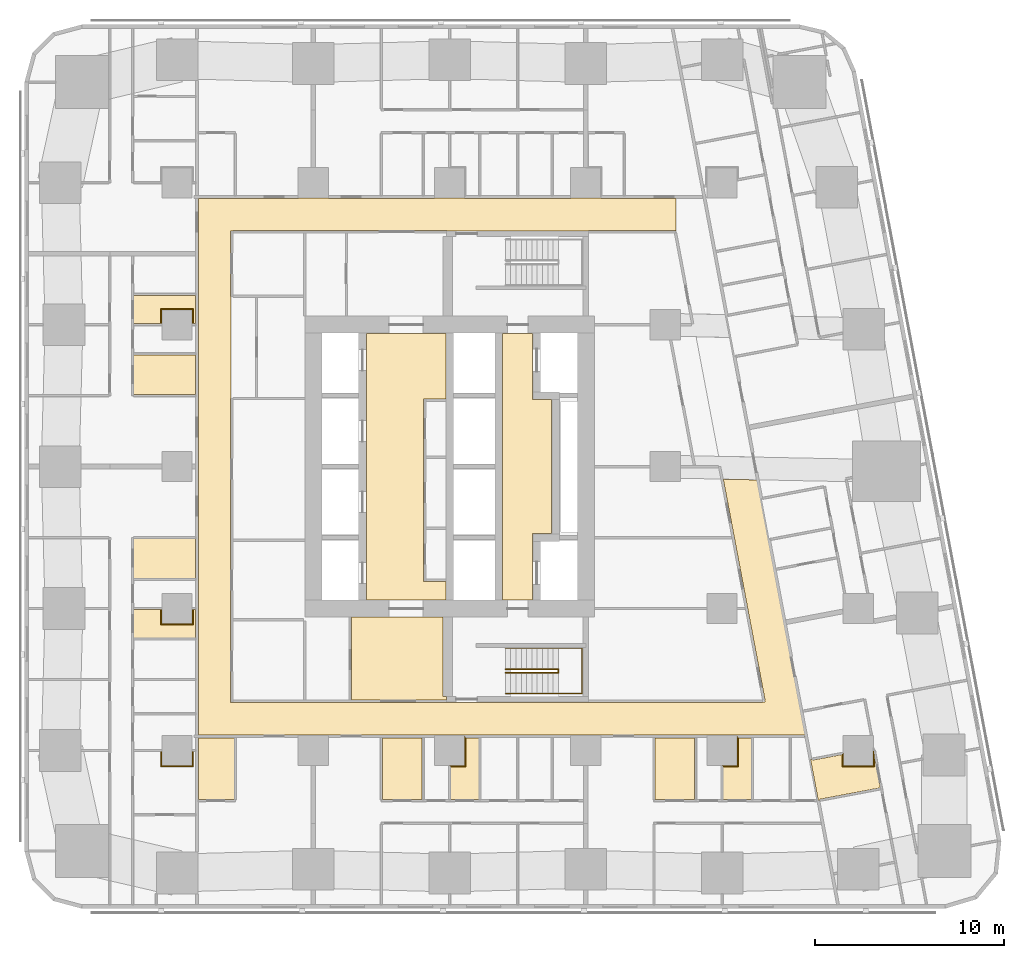
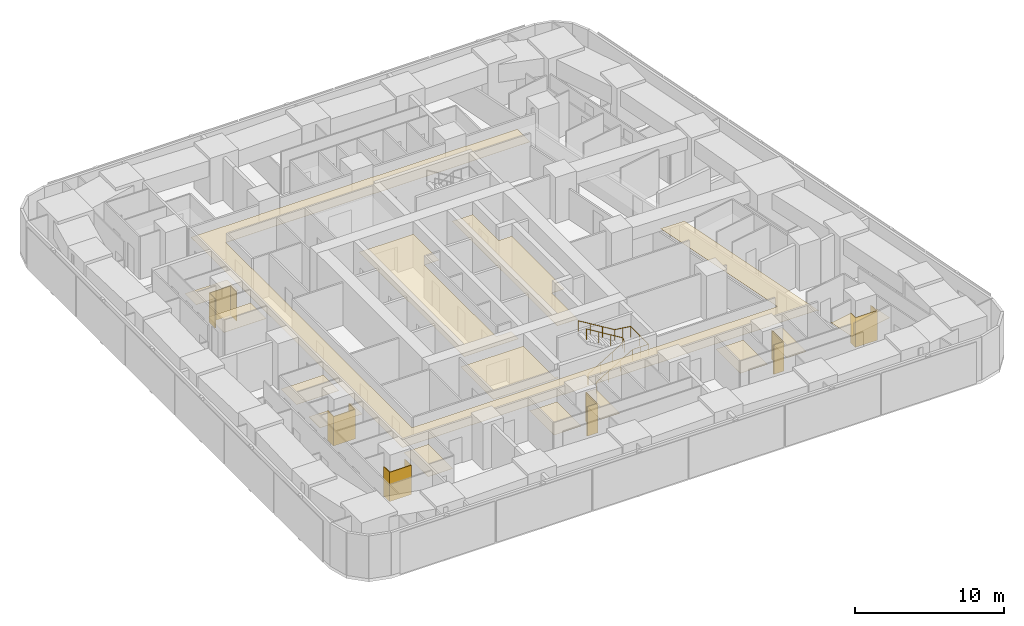
# One storey, part 13 of 15: 20 coverings, 2 railings.
"""IFC4 building model written with IfcOpenShell, lengths in metres."""

from ifc_helpers import new_model, si_unit, direction, frame, origin, origin_2d, place, context, subcontext, project, spatial, polyline, circle, outline, extrude, material, layer, layer_set, type_object, element, save


model = new_model("IFC4")

# Units and contexts
model_context = context("Model", 3, precision=1e-05, world=origin(), true_north=direction((0.0, 1.0)))
body_context = subcontext(model_context, "Body", "Model", "MODEL_VIEW")
ifc_project = project(units=[si_unit("LENGTHUNIT", "METRE"), si_unit("AREAUNIT", "SQUARE_METRE"), si_unit("VOLUMEUNIT", "CUBIC_METRE"), si_unit("PLANEANGLEUNIT", "RADIAN"), si_unit("MASSUNIT", "GRAM", prefix="KILO")], contexts=[model_context])

# Site, building, storey
site_placement = place(None, origin())
site = spatial("IfcSite", under=ifc_project, at=site_placement, CompositionType="ELEMENT")
building_placement = place(site_placement, origin())
building = spatial("IfcBuilding", under=site, at=building_placement, Name="Sheger Commons Tower", CompositionType="ELEMENT")
storey_placement = place(building_placement, frame((0.0, 0.0, 81.64990234375)))
storey = spatial("IfcBuildingStorey", under=building, at=storey_placement, Name="L20", CompositionType="ELEMENT", Elevation=81.64990234375)

# Railings
ifc_material_1 = material(Name="Steel handrail, black powder-coated", Category="steel")
railing_type = type_object("IfcRailingType", Name="HANDRAIL 900", PredefinedType="HANDRAIL", material=ifc_material_1)
railing_1_placement = place(storey_placement, frame((24.550048828125, 11.60009765625, 0.170654296875)))
element("IfcRailing", 1, at=railing_1_placement, inside=storey, type_object=railing_type, Name="Stair S1 handrail L20", PredefinedType="HANDRAIL", context=body_context, shape_type="SweptSolid", body=[
    extrude(circle(Radius=0.02392578125, at=origin_2d()), frame((0.0, 0.0, 0.8759765625), z_axis=(0.854202870247, 0.0, 0.519939858505), x_axis=(0.0, 1.0, 0.0)), (0.0, 0.0, 1.0), 3.278076171875),
    extrude(circle(Radius=0.02392578125, at=origin_2d()), frame((2.800048828125, 0.0, 2.580078125), z_axis=(0.0, 0.760631612298, 0.649183757016), x_axis=(-1.0, 0.0, 0.0)), (0.0, 0.0, 1.0), 0.262939453125),
    extrude(circle(Radius=0.02392578125, at=origin_2d()), frame((2.800048828125, 0.199951171875, 2.7509765625), z_axis=(-0.854202870247, 0.0, 0.519939858505), x_axis=(0.0, -1.0, 0.0)), (0.0, 0.0, 1.0), 3.278076171875),
    extrude(circle(Radius=0.02099609375, at=origin_2d()), origin(), (0.0, 0.0, 1.0), 0.851806640625),
    extrude(circle(Radius=0.02099609375, at=origin_2d()), frame((0.933349609375, 0.0, 0.568115234375)), (0.0, 0.0, 1.0), 0.851806640625),
    extrude(circle(Radius=0.02099609375, at=origin_2d()), frame((1.86669921875, 0.0, 1.13623046875)), (0.0, 0.0, 1.0), 0.851806640625),
    extrude(circle(Radius=0.02099609375, at=origin_2d()), frame((2.800048828125, 0.0, 1.704345703125)), (0.0, 0.0, 1.0), 0.851806640625),
    extrude(circle(Radius=0.02099609375, at=origin_2d()), frame((2.800048828125, 0.199951171875, 1.875)), (0.0, 0.0, 1.0), 0.851806640625),
    extrude(circle(Radius=0.02099609375, at=origin_2d()), frame((1.86669921875, 0.199951171875, 2.443115234375)), (0.0, 0.0, 1.0), 0.851806640625),
    extrude(circle(Radius=0.02099609375, at=origin_2d()), frame((0.933349609375, 0.199951171875, 3.01123046875)), (0.0, 0.0, 1.0), 0.851806640625),
    extrude(circle(Radius=0.02099609375, at=origin_2d()), frame((0.0, 0.199951171875, 3.579345703125)), (0.0, 0.0, 1.0), 0.851806640625),
])
railing_2_placement = place(storey_placement, frame((24.550048828125, 10.5, 0.170654296875)))
element("IfcRailing", 2, at=railing_2_placement, inside=storey, type_object=railing_type, Name="Stair S1 handrail L20", PredefinedType="HANDRAIL", context=body_context, shape_type="SweptSolid", body=[
    extrude(circle(Radius=0.02392578125, at=origin_2d()), frame((0.0, 0.0, 0.8759765625), z_axis=(0.854202870247, 0.0, 0.519939858505), x_axis=(0.0, 1.0, 0.0)), (0.0, 0.0, 1.0), 3.278076171875),
    extrude(circle(Radius=0.02392578125, at=origin_2d()), frame((2.800048828125, 0.0, 2.580078125), z_axis=(1.0, 0.0, 0.0), x_axis=(0.0, 1.0, 0.0)), (0.0, 0.0, 1.0), 1.25),
    extrude(circle(Radius=0.02392578125, at=origin_2d()), frame((4.050048828125, 0.0, 2.580078125), z_axis=(0.0, 1.0, 0.0), x_axis=(-1.0, 0.0, 0.0)), (0.0, 0.0, 1.0), 2.39990234375),
    extrude(circle(Radius=0.02392578125, at=origin_2d()), frame((4.050048828125, 2.39990234375, 2.580078125), z_axis=(-0.990808959222, 0.0, 0.135268645019), x_axis=(0.0, -1.0, 0.0)), (0.0, 0.0, 1.0), 1.261474609375),
    extrude(circle(Radius=0.02392578125, at=origin_2d()), frame((2.800048828125, 2.39990234375, 2.7509765625), z_axis=(-0.854202870247, 0.0, 0.519939858505), x_axis=(0.0, -1.0, 0.0)), (0.0, 0.0, 1.0), 3.278076171875),
    extrude(circle(Radius=0.02099609375, at=origin_2d()), origin(), (0.0, 0.0, 1.0), 0.851806640625),
    extrude(circle(Radius=0.02099609375, at=origin_2d()), frame((0.933349609375, 0.0, 0.568115234375)), (0.0, 0.0, 1.0), 0.851806640625),
    extrude(circle(Radius=0.02099609375, at=origin_2d()), frame((1.86669921875, 0.0, 1.13623046875)), (0.0, 0.0, 1.0), 0.851806640625),
    extrude(circle(Radius=0.02099609375, at=origin_2d()), frame((2.800048828125, 0.0, 1.704345703125)), (0.0, 0.0, 1.0), 0.851806640625),
    extrude(circle(Radius=0.02099609375, at=origin_2d()), frame((3.425048828125, 0.0, 1.704345703125)), (0.0, 0.0, 1.0), 0.851806640625),
    extrude(circle(Radius=0.02099609375, at=origin_2d()), frame((4.050048828125, 0.0, 1.704345703125)), (0.0, 0.0, 1.0), 0.851806640625),
    extrude(circle(Radius=0.02099609375, at=origin_2d()), frame((4.050048828125, 1.199951171875, 1.704345703125)), (0.0, 0.0, 1.0), 0.851806640625),
    extrude(circle(Radius=0.02099609375, at=origin_2d()), frame((4.050048828125, 2.39990234375, 1.704345703125)), (0.0, 0.0, 1.0), 0.851806640625),
    extrude(circle(Radius=0.02099609375, at=origin_2d()), frame((3.425048828125, 2.39990234375, 1.78955078125)), (0.0, 0.0, 1.0), 0.851806640625),
    extrude(circle(Radius=0.02099609375, at=origin_2d()), frame((2.800048828125, 2.39990234375, 1.875)), (0.0, 0.0, 1.0), 0.851806640625),
    extrude(circle(Radius=0.02099609375, at=origin_2d()), frame((1.86669921875, 2.39990234375, 2.443115234375)), (0.0, 0.0, 1.0), 0.851806640625),
    extrude(circle(Radius=0.02099609375, at=origin_2d()), frame((0.933349609375, 2.39990234375, 3.01123046875)), (0.0, 0.0, 1.0), 0.851806640625),
    extrude(circle(Radius=0.02099609375, at=origin_2d()), frame((0.0, 2.39990234375, 3.579345703125)), (0.0, 0.0, 1.0), 0.851806640625),
])

# Coverings
ifc_material_2 = material(Name="Moisture-resistant gypsum plasterboard 15 mm on a suspended galvanised steel grid", Category="steel")
ifc_layer_1 = layer(ifc_material_2, 0.014892578125)
ifc_layer_set_1 = layer_set([ifc_layer_1], Name="MOISTURE-RESISTANT CEILING 15")
covering_type_1 = type_object("IfcCoveringType", Name="MOISTURE-RESISTANT CEILING 15", PredefinedType="CEILING", material=ifc_layer_set_1)
covering_1_placement = place(storey_placement, frame((0.0, 0.0, 2.400146484375)))
element("IfcCovering", 3, at=covering_1_placement, inside=storey, type_object=covering_type_1, Name="L20-01.B1 ceiling", PredefinedType="CEILING", context=body_context, shape_type="SweptSolid", body=[
    extrude(outline(polyline([(4.905029296875, 16.594970703125), (8.169921875, 16.594970703125), (8.169921875, 18.695068359375), (4.905029296875, 18.695068359375), (4.905029296875, 16.594970703125)])), origin(), (0.0, 0.0, 1.0), 0.014892578125),
])
covering_2_placement = place(storey_placement, frame((0.0, 0.0, 2.400146484375)))
element("IfcCovering", 4, at=covering_2_placement, inside=storey, type_object=covering_type_1, Name="L20-01.B2 ceiling", PredefinedType="CEILING", context=body_context, shape_type="SweptSolid", body=[
    extrude(outline(polyline([(4.905029296875, 13.455078125), (8.169921875, 13.455078125), (8.169921875, 14.945068359375), (8.0048828125, 14.945068359375), (8.0048828125, 14.195068359375), (6.39501953125, 14.195068359375), (6.39501953125, 14.945068359375), (4.905029296875, 14.945068359375), (4.905029296875, 13.455078125)])), origin(), (0.0, 0.0, 1.0), 0.014892578125),
])
covering_3_placement = place(storey_placement, frame((0.0, 0.0, 2.400146484375)))
element("IfcCovering", 5, at=covering_3_placement, inside=storey, type_object=covering_type_1, Name="L20-02.B1 ceiling", PredefinedType="CEILING", context=body_context, shape_type="SweptSolid", body=[
    extrude(outline(polyline([(4.905029296875, 26.304931640625), (8.169921875, 26.304931640625), (8.169921875, 28.405029296875), (4.905029296875, 28.405029296875), (4.905029296875, 26.304931640625)])), origin(), (0.0, 0.0, 1.0), 0.014892578125),
])
covering_4_placement = place(storey_placement, frame((0.0, 0.0, 2.400146484375)))
element("IfcCovering", 6, at=covering_4_placement, inside=storey, type_object=covering_type_1, Name="L20-02.B2 ceiling", PredefinedType="CEILING", context=body_context, shape_type="SweptSolid", body=[
    extrude(outline(polyline([(4.905029296875, 30.054931640625), (6.39501953125, 30.054931640625), (6.39501953125, 30.804931640625), (8.0048828125, 30.804931640625), (8.0048828125, 30.054931640625), (8.169921875, 30.054931640625), (8.169921875, 31.544921875), (4.905029296875, 31.544921875), (4.905029296875, 30.054931640625)])), origin(), (0.0, 0.0, 1.0), 0.014892578125),
])
covering_5_placement = place(storey_placement, frame((0.0, 0.0, 2.400146484375)))
element("IfcCovering", 7, at=covering_5_placement, inside=storey, type_object=covering_type_1, Name="L20-04.B1 ceiling", PredefinedType="CEILING", context=body_context, shape_type="SweptSolid", body=[
    extrude(outline(polyline([(8.330078125, 4.905029296875), (10.22412109375, 4.905029296875), (10.22412109375, 8.169921875), (8.330078125, 8.169921875), (8.330078125, 4.905029296875)])), origin(), (0.0, 0.0, 1.0), 0.014892578125),
])
covering_6_placement = place(storey_placement, frame((0.0, 0.0, 2.400146484375)))
element("IfcCovering", 8, at=covering_6_placement, inside=storey, type_object=covering_type_1, Name="L20-05.B1 ceiling", PredefinedType="CEILING", context=body_context, shape_type="SweptSolid", body=[
    extrude(outline(polyline([(18.054931640625, 4.905029296875), (20.155029296875, 4.905029296875), (20.155029296875, 8.169921875), (18.054931640625, 8.169921875), (18.054931640625, 4.905029296875)])), origin(), (0.0, 0.0, 1.0), 0.014892578125),
])
covering_7_placement = place(storey_placement, frame((0.0, 0.0, 2.400146484375)))
element("IfcCovering", 9, at=covering_7_placement, inside=storey, type_object=covering_type_1, Name="L20-05.B2 ceiling", PredefinedType="CEILING", context=body_context, shape_type="SweptSolid", body=[
    extrude(outline(polyline([(21.655029296875, 4.905029296875), (23.14501953125, 4.905029296875), (23.14501953125, 8.169921875), (22.405029296875, 8.169921875), (22.405029296875, 6.695068359375), (21.655029296875, 6.695068359375), (21.655029296875, 4.905029296875)])), origin(), (0.0, 0.0, 1.0), 0.014892578125),
])
covering_8_placement = place(storey_placement, frame((0.0, 0.0, 2.400146484375)))
element("IfcCovering", 10, at=covering_8_placement, inside=storey, type_object=covering_type_1, Name="L20-06.B1 ceiling", PredefinedType="CEILING", context=body_context, shape_type="SweptSolid", body=[
    extrude(outline(polyline([(32.455078125, 4.905029296875), (34.554931640625, 4.905029296875), (34.554931640625, 8.169921875), (32.455078125, 8.169921875), (32.455078125, 4.905029296875)])), origin(), (0.0, 0.0, 1.0), 0.014892578125),
])
covering_9_placement = place(storey_placement, frame((0.0, 0.0, 2.400146484375)))
element("IfcCovering", 11, at=covering_9_placement, inside=storey, type_object=covering_type_1, Name="L20-06.B2 ceiling", PredefinedType="CEILING", context=body_context, shape_type="SweptSolid", body=[
    extrude(outline(polyline([(36.054931640625, 4.905029296875), (37.544921875, 4.905029296875), (37.544921875, 8.169921875), (36.804931640625, 8.169921875), (36.804931640625, 6.695068359375), (36.054931640625, 6.695068359375), (36.054931640625, 4.905029296875)])), origin(), (0.0, 0.0, 1.0), 0.014892578125),
])
covering_10_placement = place(storey_placement, frame((0.0, 0.0, 2.400146484375)))
element("IfcCovering", 12, at=covering_10_placement, inside=storey, type_object=covering_type_1, Name="L20-09.B1 ceiling", PredefinedType="CEILING", context=body_context, shape_type="SweptSolid", body=[
    extrude(outline(polyline([(41.087890625, 4.85205078125), (41.156005859375, 4.864990234375), (41.14599609375, 4.9189453125), (44.364013671875, 5.527099609375), (44.007080078125, 7.4150390625), (44.0048828125, 7.4150390625), (44.0048828125, 6.695068359375), (42.39501953125, 6.695068359375), (42.39501953125, 7.29296875), (40.756103515625, 6.98291015625), (40.74609375, 7.037109375), (40.677001953125, 7.02392578125), (41.087890625, 4.85205078125)])), origin(), (0.0, 0.0, 1.0), 0.014892578125),
])
ifc_material_3 = material(Name="Gypsum plasterboard 15 mm on a suspended steel grid", Category="steel")
ifc_layer_2 = layer(ifc_material_3, 0.014892578125)
ifc_layer_set_2 = layer_set([ifc_layer_2], Name="SUSPENDED CEILING 15")
covering_type_2 = type_object("IfcCoveringType", Name="SUSPENDED CEILING 15", PredefinedType="CEILING", material=ifc_layer_set_2)
covering_11_placement = place(storey_placement, frame((0.0, 0.0, 2.7001953125)))
element("IfcCovering", 13, at=covering_11_placement, inside=storey, type_object=covering_type_2, Name="L20-CO ceiling", PredefinedType="CEILING", context=body_context, shape_type="SweptSolid", body=[
    extrude(outline(polyline([(40.361083984375, 8.25), (40.446044921875, 8.25), (37.886962890625, 21.7958984375), (36.06591796875, 21.8330078125), (38.26904296875, 10.1708984375), (38.251953125, 10.1669921875), (38.27392578125, 10.050048828125), (38.14306640625, 10.050048828125), (38.14306640625, 10.031982421875), (28.945068359375, 10.031982421875), (28.945068359375, 10.044921875), (21.455078125, 10.044921875), (21.455078125, 10.031982421875), (10.157958984375, 10.031982421875), (10.157958984375, 10.044921875), (10.031982421875, 10.044921875), (10.031982421875, 26.10498046875), (10.050048828125, 26.10498046875), (10.050048828125, 31.4951171875), (10.031982421875, 31.4951171875), (10.031982421875, 34.955078125), (10.157958984375, 34.955078125), (10.157958984375, 34.968017578125), (21.455078125, 34.968017578125), (21.455078125, 34.949951171875), (28.945068359375, 34.949951171875), (28.945068359375, 34.968017578125), (33.54296875, 34.968017578125), (33.54296875, 34.949951171875), (33.568115234375, 34.949951171875), (33.568115234375, 36.669921875), (29.595947265625, 36.669921875), (29.595947265625, 36.695068359375), (28.00390625, 36.695068359375), (28.00390625, 36.669921875), (22.39599609375, 36.669921875), (22.39599609375, 36.695068359375), (20.803955078125, 36.695068359375), (20.803955078125, 36.669921875), (15.196044921875, 36.669921875), (15.196044921875, 36.695068359375), (13.60400390625, 36.695068359375), (13.60400390625, 36.669921875), (8.330078125, 36.669921875), (8.330078125, 8.330078125), (13.60400390625, 8.330078125), (13.60400390625, 8.304931640625), (15.196044921875, 8.304931640625), (15.196044921875, 8.330078125), (20.803955078125, 8.330078125), (20.803955078125, 8.304931640625), (22.39599609375, 8.304931640625), (22.39599609375, 8.330078125), (28.00390625, 8.330078125), (28.00390625, 8.304931640625), (29.595947265625, 8.304931640625), (29.595947265625, 8.330078125), (35.2041015625, 8.330078125), (35.2041015625, 8.304931640625), (36.7958984375, 8.304931640625), (36.7958984375, 8.330078125), (40.361083984375, 8.330078125), (40.361083984375, 8.25)])), origin(), (0.0, 0.0, 1.0), 0.014892578125),
])
covering_12_placement = place(storey_placement, frame((0.0, 0.0, 2.7001953125)))
element("IfcCovering", 14, at=covering_12_placement, inside=storey, type_object=covering_type_2, Name="L20-SVS1 ceiling", PredefinedType="CEILING", context=body_context, shape_type="SweptSolid", body=[
    extrude(outline(polyline([(16.406982421875, 10.16796875), (21.445068359375, 10.16796875), (21.445068359375, 10.344970703125), (21.2451171875, 10.344970703125), (21.2451171875, 14.544921875), (16.406982421875, 14.544921875), (16.406982421875, 10.16796875)])), origin(), (0.0, 0.0, 1.0), 0.014892578125),
])
covering_13_placement = place(storey_placement, frame((0.0, 0.0, 2.7001953125)))
element("IfcCovering", 15, at=covering_13_placement, inside=storey, type_object=covering_type_2, Name="L20-LL ceiling", PredefinedType="CEILING", context=body_context, shape_type="SweptSolid", body=[
    extrude(outline(polyline([(17.205078125, 15.455078125), (21.39990234375, 15.455078125), (21.39990234375, 16.43310546875), (20.35791015625, 16.43310546875), (20.23291015625, 16.43310546875), (20.23291015625, 26.06689453125), (20.35791015625, 26.06689453125), (21.39990234375, 26.06689453125), (21.39990234375, 29.544921875), (17.205078125, 29.544921875), (17.205078125, 15.455078125)])), origin(), (0.0, 0.0, 1.0), 0.014892578125),
])
covering_14_placement = place(storey_placement, frame((0.0, 0.0, 2.7001953125)))
element("IfcCovering", 16, at=covering_14_placement, inside=storey, type_object=covering_type_2, Name="L20-FL ceiling", PredefinedType="CEILING", context=body_context, shape_type="SweptSolid", body=[
    extrude(outline(polyline([(24.405029296875, 15.455078125), (25.9951171875, 15.455078125), (25.9951171875, 18.955078125), (26.9951171875, 18.955078125), (26.9951171875, 26.044921875), (25.9951171875, 26.044921875), (25.9951171875, 29.544921875), (24.405029296875, 29.544921875), (24.405029296875, 15.455078125)])), origin(), (0.0, 0.0, 1.0), 0.014892578125),
])
ifc_material_4 = material(Name="Moisture-resistant gypsum board 12.5 mm on 25 mm treated timber battens, tanked and tiled", Category="wood")
ifc_layer_3 = layer(ifc_material_4, 0.050048828125)
ifc_layer_set_3 = layer_set([ifc_layer_3], Name="WET-ROOM COLUMN LINING")
covering_type_3 = type_object("IfcCoveringType", Name="WET-ROOM COLUMN LINING", PredefinedType="CLADDING", material=ifc_layer_set_3)
covering_15_placement = place(storey_placement, origin())
element("IfcCovering", 17, at=covering_15_placement, inside=storey, type_object=covering_type_3, Name="Store and laundry column lining C9 L20", PredefinedType="CLADDING", context=body_context, shape_type="SweptSolid", body=[
    extrude(outline(polyline([(6.39990234375, 7.5), (6.39990234375, 6.699951171875), (8.0, 6.699951171875), (8.0, 7.5), (8.0009765625, 7.5), (8.0009765625, 7.449951171875), (8.050048828125, 7.449951171875), (8.050048828125, 6.64990234375), (6.35009765625, 6.64990234375), (6.35009765625, 7.449951171875), (6.39892578125, 7.449951171875), (6.39892578125, 7.5), (6.39990234375, 7.5)])), origin(), (0.0, 0.0, 1.0), 2.400146484375),
])
covering_16_placement = place(storey_placement, origin())
element("IfcCovering", 18, at=covering_16_placement, inside=storey, type_object=covering_type_3, Name="Shower room column lining C9 L20", PredefinedType="CLADDING", context=body_context, shape_type="SweptSolid", body=[
    extrude(outline(polyline([(21.64990234375, 6.64990234375), (21.64990234375, 6.698974609375), (21.60009765625, 6.698974609375), (21.60009765625, 6.699951171875), (22.39990234375, 6.699951171875), (22.39990234375, 8.25), (22.40087890625, 8.25), (22.40087890625, 8.175048828125), (22.449951171875, 8.175048828125), (22.449951171875, 6.64990234375), (21.64990234375, 6.64990234375)])), origin(), (0.0, 0.0, 1.0), 2.400146484375),
])
covering_17_placement = place(storey_placement, origin())
element("IfcCovering", 19, at=covering_17_placement, inside=storey, type_object=covering_type_3, Name="Shower room column lining C9 L20", PredefinedType="CLADDING", context=body_context, shape_type="SweptSolid", body=[
    extrude(outline(polyline([(36.050048828125, 6.64990234375), (36.050048828125, 6.698974609375), (36.0, 6.698974609375), (36.0, 6.699951171875), (36.800048828125, 6.699951171875), (36.800048828125, 8.25), (36.801025390625, 8.25), (36.801025390625, 8.175048828125), (36.85009765625, 8.175048828125), (36.85009765625, 6.64990234375), (36.050048828125, 6.64990234375)])), origin(), (0.0, 0.0, 1.0), 2.400146484375),
])
covering_18_placement = place(storey_placement, origin())
element("IfcCovering", 20, at=covering_18_placement, inside=storey, type_object=covering_type_3, Name="Bathroom column lining C9 L20", PredefinedType="CLADDING", context=body_context, shape_type="SweptSolid", body=[
    extrude(outline(polyline([(42.39990234375, 7.34912109375), (42.39990234375, 6.699951171875), (44.0, 6.699951171875), (44.0, 7.47998046875), (44.050048828125, 7.215087890625), (44.050048828125, 6.64990234375), (42.35009765625, 6.64990234375), (42.35009765625, 7.2900390625), (42.39892578125, 7.299072265625), (42.389892578125, 7.346923828125), (42.39990234375, 7.34912109375)])), origin(), (0.0, 0.0, 1.0), 2.400146484375),
])
covering_19_placement = place(storey_placement, origin())
element("IfcCovering", 21, at=covering_19_placement, inside=storey, type_object=covering_type_3, Name="Shower room column lining C9 L20", PredefinedType="CLADDING", context=body_context, shape_type="SweptSolid", body=[
    extrude(outline(polyline([(6.39990234375, 15.0), (6.39990234375, 14.199951171875), (8.0, 14.199951171875), (8.0, 15.0), (8.0009765625, 15.0), (8.0009765625, 14.949951171875), (8.050048828125, 14.949951171875), (8.050048828125, 14.14990234375), (6.35009765625, 14.14990234375), (6.35009765625, 14.949951171875), (6.39892578125, 14.949951171875), (6.39892578125, 15.0), (6.39990234375, 15.0)])), origin(), (0.0, 0.0, 1.0), 2.400146484375),
])
covering_20_placement = place(storey_placement, origin())
element("IfcCovering", 22, at=covering_20_placement, inside=storey, type_object=covering_type_3, Name="Shower room column lining C9 L20", PredefinedType="CLADDING", context=body_context, shape_type="SweptSolid", body=[
    extrude(outline(polyline([(8.050048828125, 30.85009765625), (8.050048828125, 30.050048828125), (8.0009765625, 30.050048828125), (8.0009765625, 30.0), (8.0, 30.0), (8.0, 30.800048828125), (6.39990234375, 30.800048828125), (6.39990234375, 30.0), (6.39892578125, 30.0), (6.39892578125, 30.050048828125), (6.35009765625, 30.050048828125), (6.35009765625, 30.85009765625), (8.050048828125, 30.85009765625)])), origin(), (0.0, 0.0, 1.0), 2.400146484375),
])

save(model, "model.ifc")
